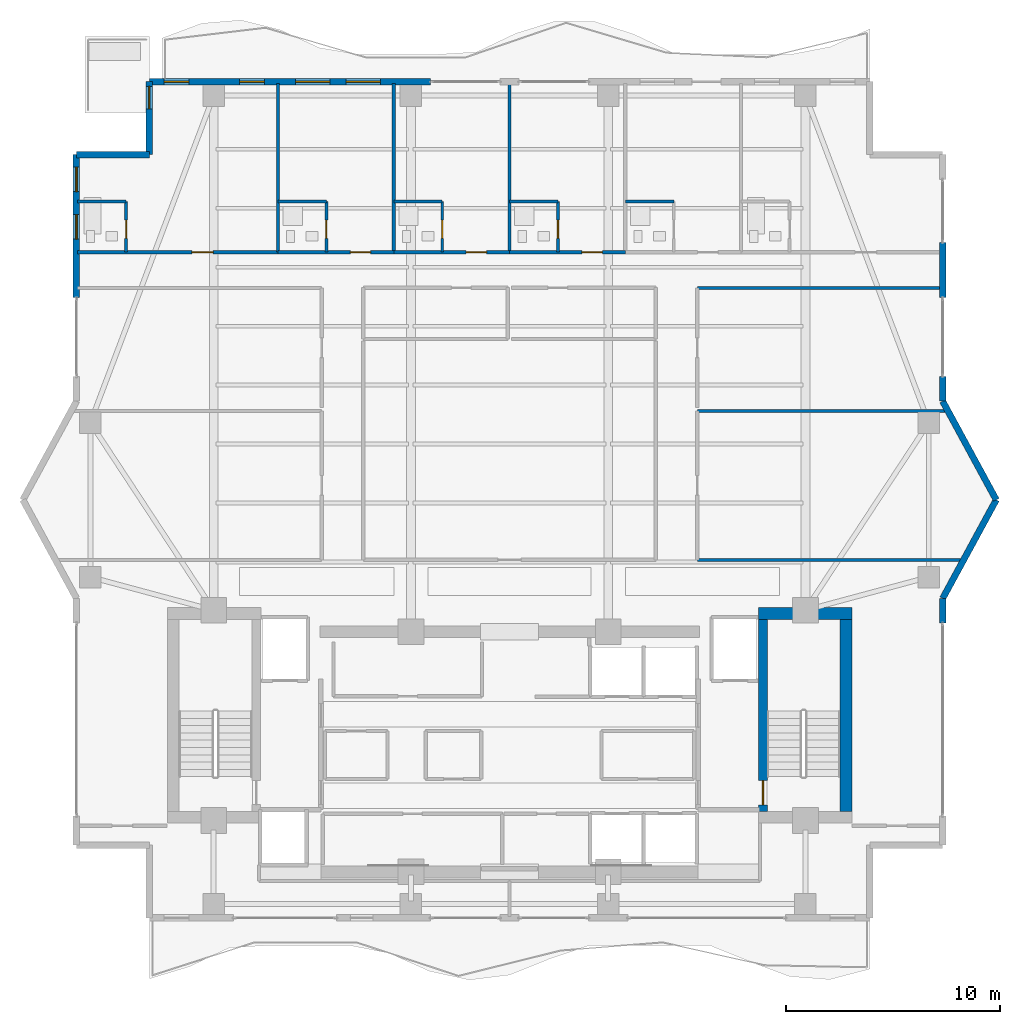
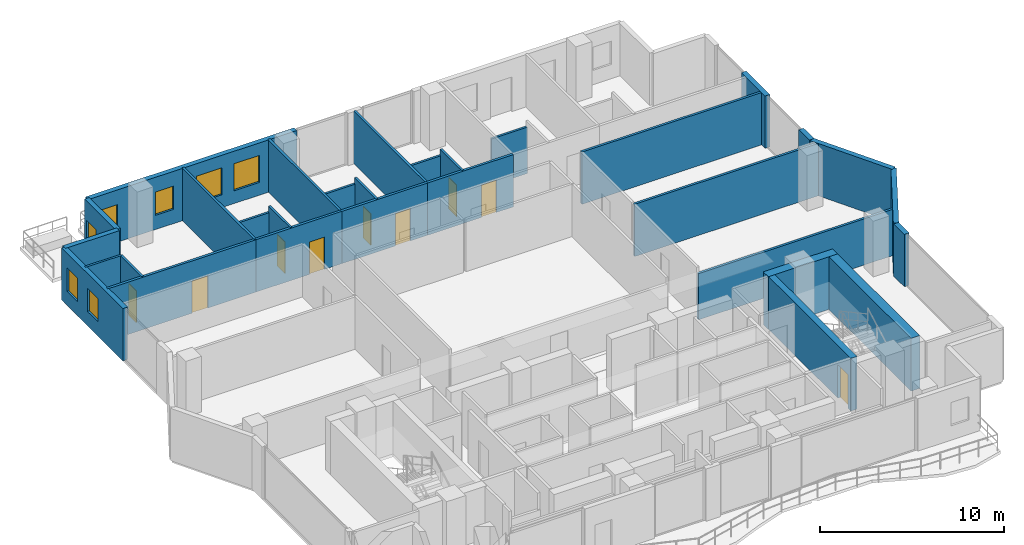
# One storey, part 19 of 23: 31 walls, 10 doors, 6 windows, 16 openings.
"""IFC4 building model written with IfcOpenShell, lengths in metres."""

from ifc_helpers import new_model, si_unit, direction, frame, frame_2d, origin, place, context, subcontext, project, spatial, rectangle, extrude, material, layer, layer_set, type_object, element, fill, save


model = new_model("IFC4")

# Units and contexts
model_context = context("Model", 3, precision=1e-05, world=origin(), true_north=direction((0.0, 1.0)))
body_context = subcontext(model_context, "Body", "Model", "MODEL_VIEW")
ifc_project = project(units=[si_unit("LENGTHUNIT", "METRE"), si_unit("AREAUNIT", "SQUARE_METRE"), si_unit("VOLUMEUNIT", "CUBIC_METRE"), si_unit("PLANEANGLEUNIT", "RADIAN"), si_unit("MASSUNIT", "GRAM", prefix="KILO")], contexts=[model_context])

# Site, building, storey
site_placement = place(None, origin())
site = spatial("IfcSite", under=ifc_project, at=site_placement, CompositionType="ELEMENT")
building_placement = place(site_placement, origin())
building = spatial("IfcBuilding", under=site, at=building_placement, Name="Zuhayl Quay Hotel", CompositionType="ELEMENT")
storey_placement = place(building_placement, frame((0.0, 0.0, 272.949951171875)))
storey = spatial("IfcBuildingStorey", under=building, at=storey_placement, Name="L69", CompositionType="ELEMENT", Elevation=272.949951171875)

# Walls
ifc_material_1 = material(Name="Concrete C50/60", Category="concrete")
ifc_layer_1 = layer(ifc_material_1, 0.550048828125, Name="Concrete C50/60", Category="concrete")
ifc_layer_set_1 = layer_set([ifc_layer_1], Name="Concrete C50/60")
wall_type_1 = type_object("IfcWallType", Name="WL_CORE_550", PredefinedType="SHEAR", material=ifc_layer_set_1)
wall_1_placement = place(storey_placement, frame((11.60009765625, 14.205078125, 0.0), z_axis=(0.0, 0.0, 1.0), x_axis=(1.0, 0.0, 0.0)))
element("IfcWall", 1, at=wall_1_placement, inside=storey, type_object=wall_type_1, Name="L69 Core Shear Wall CW_NE", PredefinedType="SHEAR", context=body_context, shape_type="SweptSolid", body=[
    extrude(rectangle(XDim=4.35986328125, YDim=0.550048828125, at=frame_2d((2.179931640625, 0.0))), origin(), (0.0, 0.0, 1.0), 3.510009765625),
])
wall_2_placement = place(storey_placement, frame((15.68505859375, 4.969970703125, 0.0), z_axis=(0.0, 0.0, 1.0), x_axis=(0.0, 1.0, 0.0)))
element("IfcWall", 2, at=wall_2_placement, inside=storey, type_object=wall_type_1, Name="L69 Core Shear Wall CW_E", PredefinedType="SHEAR", context=body_context, shape_type="SweptSolid", body=[
    extrude(rectangle(XDim=8.9599609375, YDim=0.550048828125, at=frame_2d((4.47998046875, 0.0))), origin(), (0.0, 0.0, 1.0), 3.510009765625),
])

# Wall, openings, windows
ifc_material_2 = material(Name="Precast concrete C45/55", Category="concrete")
ifc_layer_2 = layer(ifc_material_2, 0.300048828125, Name="Precast concrete C45/55", Category="concrete")
ifc_layer_set_2 = layer_set([ifc_layer_2], Name="Precast concrete C45/55")
wall_type_2 = type_object("IfcWallType", Name="WL_EXT_300", PredefinedType="STANDARD", material=ifc_layer_set_2)
wall_3_placement = place(storey_placement, frame((-20.199951171875, 28.929931640625, 0.0), z_axis=(0.0, 0.0, 1.0), x_axis=(0.0, 1.0, 0.0)))
wall_3 = element("IfcWall", 3, at=wall_3_placement, inside=storey, type_object=wall_type_2, Name="L69 Exterior Precast Wall ENV_L69_E05_EW2", PredefinedType="STANDARD", context=body_context, shape_type="SweptSolid", body=[
    extrude(rectangle(XDim=6.670166015625, YDim=0.300048828125, at=frame_2d((3.3349609375, 0.0))), origin(), (0.0, 0.0, 1.0), 3.47998046875),
])
opening_1_placement = place(wall_3_placement, frame((2.72509765625, 0.0, 0.949951171875)))
opening_1 = element("IfcOpeningElement", 4, at=opening_1_placement, cuts=wall_3, Name="Opening W01N", PredefinedType="OPENING", context=body_context, shape_type="SweptSolid", body=[
    extrude(rectangle(XDim=1.14990234375, YDim=1.550048828125, at=frame_2d((0.574951171875, 0.77490234375))), frame((0.0, 0.159912109375, 0.0), z_axis=(0.0, -1.0, 0.0), x_axis=(1.0, 0.0, 0.0)), (0.0, 0.0, 1.0), 0.320068359375),
])
opening_2_placement = place(wall_3_placement, frame((4.93994140625, 0.0, 0.949951171875)))
opening_2 = element("IfcOpeningElement", 5, at=opening_2_placement, cuts=wall_3, Name="Opening W01N", PredefinedType="OPENING", context=body_context, shape_type="SweptSolid", body=[
    extrude(rectangle(XDim=1.14990234375, YDim=1.550048828125, at=frame_2d((0.574951171875, 0.77490234375))), frame((0.0, 0.159912109375, 0.0), z_axis=(0.0, -1.0, 0.0), x_axis=(1.0, 0.0, 0.0)), (0.0, 0.0, 1.0), 0.320068359375),
])
ifc_material_3 = material(Name="Dark Ceramic-Fritted Solar Glass", Category="glass")
window_type_1 = type_object("IfcWindowType", Name="WN_NOTCH_1350", PartitioningType="SINGLE_PANEL", PredefinedType="WINDOW", material=ifc_material_3)
window_1_placement = place(opening_1_placement, origin())
window_1 = element("IfcWindow", 6, at=window_1_placement, inside=storey, type_object=window_type_1, Name="L69 Operable Facade Window 2-1", OverallHeight=1.550048828125, OverallWidth=1.14990234375, PartitioningType="SINGLE_PANEL", PredefinedType="WINDOW", context=body_context, shape_type="SweptSolid", body=[
    extrude(rectangle(XDim=1.14990234375, YDim=1.550048828125, at=frame_2d((0.574951171875, 0.77490234375))), frame((0.0, 0.030029296875, 0.0), z_axis=(0.0, -1.0, 0.0), x_axis=(1.0, 0.0, 0.0)), (0.0, 0.0, 1.0), 0.06005859375),
])
fill(opening_1, window_1)
window_2_placement = place(opening_2_placement, origin())
window_2 = element("IfcWindow", 7, at=window_2_placement, inside=storey, type_object=window_type_1, Name="L69 Operable Facade Window 2-2", OverallHeight=1.550048828125, OverallWidth=1.14990234375, PartitioningType="SINGLE_PANEL", PredefinedType="WINDOW", context=body_context, shape_type="SweptSolid", body=[
    extrude(rectangle(XDim=1.14990234375, YDim=1.550048828125, at=frame_2d((0.574951171875, 0.77490234375))), frame((0.0, 0.030029296875, 0.0), z_axis=(0.0, -1.0, 0.0), x_axis=(1.0, 0.0, 0.0)), (0.0, 0.0, 1.0), 0.06005859375),
])
fill(opening_2, window_2)

# Wall
wall_4_placement = place(storey_placement, frame((-20.199951171875, 35.60009765625, 0.0), z_axis=(0.0, 0.0, 1.0), x_axis=(1.0, 0.0, 0.0)))
element("IfcWall", 8, at=wall_4_placement, inside=storey, type_object=wall_type_2, Name="L69 Exterior Precast Wall ENV_L69_EW06", PredefinedType="STANDARD", context=body_context, shape_type="SweptSolid", body=[
    extrude(rectangle(XDim=3.39990234375, YDim=0.300048828125, at=frame_2d((1.699951171875, 0.0))), origin(), (0.0, 0.0, 1.0), 3.47998046875),
])

# Wall, opening, door
wall_5_placement = place(storey_placement, frame((-16.800048828125, 35.60009765625, 0.0), z_axis=(0.0, 0.0, 1.0), x_axis=(0.0, 1.0, 0.0)))
wall_5 = element("IfcWall", 9, at=wall_5_placement, inside=storey, type_object=wall_type_2, Name="L69 Exterior Precast Wall ENV_L69_SP_NW", PredefinedType="STANDARD", context=body_context, shape_type="SweptSolid", body=[
    extrude(rectangle(XDim=3.39990234375, YDim=0.300048828125, at=frame_2d((1.699951171875, 0.0))), origin(), (0.0, 0.0, 1.0), 3.47998046875),
])
opening_3_placement = place(wall_5_placement, frame((2.1298828125, 0.0, 0.0)))
opening_3 = element("IfcOpeningElement", 10, at=opening_3_placement, cuts=wall_5, Name="Opening DG1", PredefinedType="OPENING", context=body_context, shape_type="SweptSolid", body=[
    extrude(rectangle(XDim=1.050048828125, YDim=2.199951171875, at=frame_2d((0.52490234375, 1.10009765625))), frame((0.0, 0.159912109375, 0.0), z_axis=(0.0, -1.0, 0.0), x_axis=(1.0, 0.0, 0.0)), (0.0, 0.0, 1.0), 0.320068359375),
])
ifc_material_4 = material(Name="Anodised Aluminium and Dark Solar Glass", Category="aluminium")
door_type_1 = type_object("IfcDoorType", Name="DR_EXT_TERR_1050", OperationType="NOTDEFINED", PredefinedType="DOOR", material=ifc_material_4)
door_1_placement = place(opening_3_placement, origin())
door_1 = element("IfcDoor", 11, at=door_1_placement, inside=storey, type_object=door_type_1, Name="L69 Spiral Sky-Terrace NW Access Door", OperationType="SINGLE_SWING_LEFT", OverallHeight=2.199951171875, OverallWidth=1.050048828125, PredefinedType="DOOR", context=body_context, shape_type="SweptSolid", body=[
    extrude(rectangle(XDim=1.050048828125, YDim=2.199951171875, at=frame_2d((0.52490234375, 1.10009765625))), frame((0.0, 0.02490234375, 0.0), z_axis=(0.0, -1.0, 0.0), x_axis=(1.0, 0.0, 0.0)), (0.0, 0.0, 1.0), 0.050048828125),
])
fill(opening_3, door_1)

# Wall, openings, windows
wall_6_placement = place(storey_placement, frame((-16.800048828125, 39.0, 0.0), z_axis=(0.0, 0.0, 1.0), x_axis=(1.0, 0.0, 0.0)))
wall_6 = element("IfcWall", 12, at=wall_6_placement, inside=storey, type_object=wall_type_2, Name="L69 Exterior Precast Wall ENV_L69_N_EW1", PredefinedType="STANDARD", context=body_context, shape_type="SweptSolid", body=[
    extrude(rectangle(XDim=13.1201171875, YDim=0.300048828125, at=frame_2d((6.56005859375, 0.0))), origin(), (0.0, 0.0, 1.0), 3.47998046875),
])
opening_4_placement = place(wall_6_placement, frame((6.820068359375, 0.0, 0.85009765625)))
opening_4 = element("IfcOpeningElement", 13, at=opening_4_placement, cuts=wall_6, Name="Opening W01", PredefinedType="OPENING", context=body_context, shape_type="SweptSolid", body=[
    extrude(rectangle(XDim=1.60009765625, YDim=1.800048828125, at=frame_2d((0.800048828125, 0.89990234375))), frame((0.0, 0.159912109375, 0.0), z_axis=(0.0, -1.0, 0.0), x_axis=(1.0, 0.0, 0.0)), (0.0, 0.0, 1.0), 0.320068359375),
])
opening_5_placement = place(wall_6_placement, frame((0.695068359375, 0.0, 0.949951171875)))
opening_5 = element("IfcOpeningElement", 14, at=opening_5_placement, cuts=wall_6, Name="Opening W01N", PredefinedType="OPENING", context=body_context, shape_type="SweptSolid", body=[
    extrude(rectangle(XDim=1.14990234375, YDim=1.550048828125, at=frame_2d((0.574951171875, 0.77490234375))), frame((0.0, 0.159912109375, 0.0), z_axis=(0.0, -1.0, 0.0), x_axis=(1.0, 0.0, 0.0)), (0.0, 0.0, 1.0), 0.320068359375),
])
opening_6_placement = place(wall_6_placement, frame((4.215087890625, 0.0, 0.949951171875)))
opening_6 = element("IfcOpeningElement", 15, at=opening_6_placement, cuts=wall_6, Name="Opening W01N", PredefinedType="OPENING", context=body_context, shape_type="SweptSolid", body=[
    extrude(rectangle(XDim=1.14990234375, YDim=1.550048828125, at=frame_2d((0.574951171875, 0.77490234375))), frame((0.0, 0.159912109375, 0.0), z_axis=(0.0, -1.0, 0.0), x_axis=(1.0, 0.0, 0.0)), (0.0, 0.0, 1.0), 0.320068359375),
])
opening_7_placement = place(wall_6_placement, frame((9.175048828125, 0.0, 0.85009765625)))
opening_7 = element("IfcOpeningElement", 16, at=opening_7_placement, cuts=wall_6, Name="Opening W01", PredefinedType="OPENING", context=body_context, shape_type="SweptSolid", body=[
    extrude(rectangle(XDim=1.60009765625, YDim=1.800048828125, at=frame_2d((0.800048828125, 0.89990234375))), frame((0.0, 0.159912109375, 0.0), z_axis=(0.0, -1.0, 0.0), x_axis=(1.0, 0.0, 0.0)), (0.0, 0.0, 1.0), 0.320068359375),
])
window_3_placement = place(opening_5_placement, origin())
window_3 = element("IfcWindow", 17, at=window_3_placement, inside=storey, type_object=window_type_1, Name="L69 Operable Facade Window 1-1", OverallHeight=1.550048828125, OverallWidth=1.14990234375, PartitioningType="SINGLE_PANEL", PredefinedType="WINDOW", context=body_context, shape_type="SweptSolid", body=[
    extrude(rectangle(XDim=1.14990234375, YDim=1.550048828125, at=frame_2d((0.574951171875, 0.77490234375))), frame((0.0, 0.030029296875, 0.0), z_axis=(0.0, -1.0, 0.0), x_axis=(1.0, 0.0, 0.0)), (0.0, 0.0, 1.0), 0.06005859375),
])
fill(opening_5, window_3)
window_4_placement = place(opening_6_placement, origin())
window_4 = element("IfcWindow", 18, at=window_4_placement, inside=storey, type_object=window_type_1, Name="L69 Operable Facade Window 1-2", OverallHeight=1.550048828125, OverallWidth=1.14990234375, PartitioningType="SINGLE_PANEL", PredefinedType="WINDOW", context=body_context, shape_type="SweptSolid", body=[
    extrude(rectangle(XDim=1.14990234375, YDim=1.550048828125, at=frame_2d((0.574951171875, 0.77490234375))), frame((0.0, 0.030029296875, 0.0), z_axis=(0.0, -1.0, 0.0), x_axis=(1.0, 0.0, 0.0)), (0.0, 0.0, 1.0), 0.06005859375),
])
fill(opening_6, window_4)
window_type_2 = type_object("IfcWindowType", Name="WN_OPERABLE_1600", PartitioningType="DOUBLE_PANEL_VERTICAL", PredefinedType="WINDOW", material=ifc_material_3)
window_5_placement = place(opening_4_placement, origin())
window_5 = element("IfcWindow", 19, at=window_5_placement, inside=storey, type_object=window_type_2, Name="L69 North Operable Casement Window", OverallHeight=1.800048828125, OverallWidth=1.60009765625, PartitioningType="SINGLE_PANEL", PredefinedType="WINDOW", context=body_context, shape_type="SweptSolid", body=[
    extrude(rectangle(XDim=1.60009765625, YDim=1.800048828125, at=frame_2d((0.800048828125, 0.89990234375))), frame((0.0, 0.030029296875, 0.0), z_axis=(0.0, -1.0, 0.0), x_axis=(1.0, 0.0, 0.0)), (0.0, 0.0, 1.0), 0.06005859375),
])
fill(opening_4, window_5)
window_6_placement = place(opening_7_placement, origin())
window_6 = element("IfcWindow", 20, at=window_6_placement, inside=storey, type_object=window_type_2, Name="L69 Operable Facade Window 1-3", OverallHeight=1.800048828125, OverallWidth=1.60009765625, PartitioningType="SINGLE_PANEL", PredefinedType="WINDOW", context=body_context, shape_type="SweptSolid", body=[
    extrude(rectangle(XDim=1.60009765625, YDim=1.800048828125, at=frame_2d((0.800048828125, 0.89990234375))), frame((0.0, 0.030029296875, 0.0), z_axis=(0.0, -1.0, 0.0), x_axis=(1.0, 0.0, 0.0)), (0.0, 0.0, 1.0), 0.06005859375),
])
fill(opening_7, window_6)

# Walls
wall_7_placement = place(storey_placement, frame((20.199951171875, 31.5, 0.0), z_axis=(0.0, 0.0, 1.0), x_axis=(0.0, -1.0, 0.0)))
element("IfcWall", 21, at=wall_7_placement, inside=storey, type_object=wall_type_2, Name="L69 Exterior Precast Wall ENV_L69_E11_EW2", PredefinedType="STANDARD", context=body_context, shape_type="SweptSolid", body=[
    extrude(rectangle(XDim=2.570068359375, YDim=0.300048828125, at=frame_2d((1.28515625, 0.0))), origin(), (0.0, 0.0, 1.0), 3.47998046875),
])
wall_8_placement = place(storey_placement, frame((20.199951171875, 25.25, 0.0), z_axis=(0.0, 0.0, 1.0), x_axis=(0.0, -1.0, 0.0)))
element("IfcWall", 22, at=wall_8_placement, inside=storey, type_object=wall_type_2, Name="L69 Exterior Precast Wall ENV_L69_E11_EW3", PredefinedType="STANDARD", context=body_context, shape_type="SweptSolid", body=[
    extrude(rectangle(XDim=1.14990234375, YDim=0.300048828125, at=frame_2d((0.574951171875, 0.0))), origin(), (0.0, 0.0, 1.0), 3.47998046875),
])
for number, where, z_axis, x_axis, name in (
    (23, (20.199951171875, 24.10009765625, 0.0), (0.0, 0.0, 1.0), (0.477505494629, -0.878628762675, 0.0), "L69 Exterior Precast Wall ENV_L69_EW12"),
    (24, (22.699951171875, 19.5, 0.0), (0.0, 0.0, 1.0), (-0.477505494629, -0.878628762675, 0.0), "L69 Exterior Precast Wall ENV_L69_EW13"),
):
    element("IfcWall", number, at=place(storey_placement, frame(where, z_axis=z_axis, x_axis=x_axis)), inside=storey, type_object=wall_type_2, Name=name, PredefinedType="STANDARD", context=body_context, shape_type="SweptSolid", body=[
        extrude(rectangle(XDim=5.235595703125, YDim=0.300048828125, at=frame_2d((2.61767578125, 0.0))), origin(), (0.0, 0.0, 1.0), 3.47998046875),
    ])
wall_9_placement = place(storey_placement, frame((20.199951171875, 14.89990234375, 0.0), z_axis=(0.0, 0.0, 1.0), x_axis=(0.0, -1.0, 0.0)))
element("IfcWall", 25, at=wall_9_placement, inside=storey, type_object=wall_type_2, Name="L69 Exterior Precast Wall ENV_L69_E14_EW1", PredefinedType="STANDARD", context=body_context, shape_type="SweptSolid", body=[
    extrude(rectangle(XDim=1.14990234375, YDim=0.300048828125, at=frame_2d((0.574951171875, 0.0))), origin(), (0.0, 0.0, 1.0), 3.47998046875),
])
ifc_material_5 = material(Name="Acoustic Gypsum Partition STC-58")
ifc_layer_3 = layer(ifc_material_5, 0.14990234375, Name="Acoustic Gypsum Partition STC-58")
ifc_layer_set_3 = layer_set([ifc_layer_3], Name="Acoustic Gypsum Partition STC-58")
wall_type_3 = type_object("IfcWallType", Name="WL_PART_150", PredefinedType="PARTITIONING", material=ifc_layer_set_3)
for number, where, z_axis, x_axis, name in (
    (26, (-10.800048828125, 31.050048828125, 0.0), (0.0, 0.0, 1.0), (0.0, 1.0, 0.0), "L69 Partition IW_L69_NU01_E"),
    (27, (-5.39990234375, 31.050048828125, 0.0), (0.0, 0.0, 1.0), (0.0, 1.0, 0.0), "L69 Partition IW_L69_NU02_E"),
    (28, (0.0, 31.050048828125, 0.0), (0.0, 0.0, 1.0), (0.0, 1.0, 0.0), "L69 Partition IW_L69_NU03_E"),
):
    element("IfcWall", number, at=place(storey_placement, frame(where, z_axis=z_axis, x_axis=x_axis)), inside=storey, type_object=wall_type_3, Name=name, PredefinedType="PARTITIONING", context=body_context, shape_type="SweptSolid", body=[
        extrude(rectangle(XDim=7.869873046875, YDim=0.14990234375, at=frame_2d((3.93505859375, 0.0))), origin(), (0.0, 0.0, 1.0), 3.47998046875),
    ])
wall_10_placement = place(storey_placement, frame((8.760009765625, 16.699951171875, 0.0), z_axis=(0.0, 0.0, 1.0), x_axis=(1.0, 0.0, 0.0)))
element("IfcWall", 29, at=wall_10_placement, inside=storey, type_object=wall_type_3, Name="L69 Partition IW_L69_Z4_V4E1_S", PredefinedType="PARTITIONING", context=body_context, shape_type="SweptSolid", body=[
    extrude(rectangle(XDim=12.3583984375, YDim=0.14990234375, at=frame_2d((6.17919921875, 0.0))), origin(), (0.0, 0.0, 1.0), 3.075927734375),
])
wall_11_placement = place(storey_placement, frame((8.760009765625, 23.64990234375, 0.0), z_axis=(0.0, 0.0, 1.0), x_axis=(1.0, 0.0, 0.0)))
element("IfcWall", 30, at=wall_11_placement, inside=storey, type_object=wall_type_3, Name="L69 Partition IW_L69_Z4_V4E1_N", PredefinedType="PARTITIONING", context=body_context, shape_type="SweptSolid", body=[
    extrude(rectangle(XDim=11.62451171875, YDim=0.14990234375, at=frame_2d((5.812255859375, 0.0))), origin(), (0.0, 0.0, 1.0), 3.47998046875),
])
wall_12_placement = place(storey_placement, frame((8.760009765625, 29.3798828125, 0.0), z_axis=(0.0, 0.0, 1.0), x_axis=(1.0, 0.0, 0.0)))
element("IfcWall", 31, at=wall_12_placement, inside=storey, type_object=wall_type_3, Name="L69 Partition IW_L69_Z4_V4E2_N", PredefinedType="PARTITIONING", context=body_context, shape_type="SweptSolid", body=[
    extrude(rectangle(XDim=11.3798828125, YDim=0.14990234375, at=frame_2d((5.68994140625, 0.0))), origin(), (0.0, 0.0, 1.0), 3.47998046875),
])

# Wall, opening, door
ifc_layer_4 = layer(ifc_material_5, 0.159912109375, Name="Acoustic Gypsum Partition STC-58")
ifc_layer_set_4 = layer_set([ifc_layer_4], Name="Acoustic Gypsum Partition STC-58")
wall_type_4 = type_object("IfcWallType", Name="WL_PART_CORR_160", PredefinedType="PARTITIONING", material=ifc_layer_set_4)
wall_13_placement = place(storey_placement, frame((-20.139892578125, 31.050048828125, 0.0), z_axis=(0.0, 0.0, 1.0), x_axis=(1.0, 0.0, 0.0)))
wall_13 = element("IfcWall", 32, at=wall_13_placement, inside=storey, type_object=wall_type_4, Name="L69 Partition IW_L69_NU01_COR", PredefinedType="PARTITIONING", context=body_context, shape_type="SweptSolid", body=[
    extrude(rectangle(XDim=9.33984375, YDim=0.159912109375, at=frame_2d((4.669921875, 0.0))), origin(), (0.0, 0.0, 1.0), 3.47998046875),
])
opening_8_placement = place(wall_13_placement, frame((5.320068359375, 0.0, 0.0)))
opening_8 = element("IfcOpeningElement", 33, at=opening_8_placement, cuts=wall_13, Name="Opening D03L", PredefinedType="OPENING", context=body_context, shape_type="SweptSolid", body=[
    extrude(rectangle(XDim=1.0, YDim=2.14990234375, at=frame_2d((0.5, 1.074951171875))), frame((0.0, 0.08984375, 0.0), z_axis=(0.0, -1.0, 0.0), x_axis=(1.0, 0.0, 0.0)), (0.0, 0.0, 1.0), 0.179931640625),
])
ifc_material_6 = material(Name="Solid Walnut Acoustic Fire Door")
door_type_2 = type_object("IfcDoorType", Name="DR_SUITE_1000", OperationType="NOTDEFINED", PredefinedType="DOOR", material=ifc_material_6)
door_2_placement = place(opening_8_placement, origin())
door_2 = element("IfcDoor", 34, at=door_2_placement, inside=storey, type_object=door_type_2, Name="L69 Imperial Gulf Guest Room L69-01 Entrance Door", OperationType="SINGLE_SWING_LEFT", OverallHeight=2.14990234375, OverallWidth=1.0, PredefinedType="DOOR", context=body_context, shape_type="SweptSolid", body=[
    extrude(rectangle(XDim=1.0, YDim=2.14990234375, at=frame_2d((0.5, 1.074951171875))), frame((0.0, 0.02490234375, 0.0), z_axis=(0.0, -1.0, 0.0), x_axis=(1.0, 0.0, 0.0)), (0.0, 0.0, 1.0), 0.050048828125),
])
fill(opening_8, door_2)

wall_14_placement = place(storey_placement, frame((-10.800048828125, 31.050048828125, 0.0), z_axis=(0.0, 0.0, 1.0), x_axis=(1.0, 0.0, 0.0)))
wall_14 = element("IfcWall", 35, at=wall_14_placement, inside=storey, type_object=wall_type_4, Name="L69 Partition IW_L69_NU02_COR", PredefinedType="PARTITIONING", context=body_context, shape_type="SweptSolid", body=[
    extrude(rectangle(XDim=5.400146484375, YDim=0.159912109375, at=frame_2d((2.7001953125, 0.0))), origin(), (0.0, 0.0, 1.0), 3.47998046875),
])
opening_9_placement = place(wall_14_placement, frame((3.375, 0.0, 0.0)))
opening_9 = element("IfcOpeningElement", 36, at=opening_9_placement, cuts=wall_14, Name="Opening D03", PredefinedType="OPENING", context=body_context, shape_type="SweptSolid", body=[
    extrude(rectangle(XDim=0.949951171875, YDim=2.14990234375, at=frame_2d((0.47509765625, 1.074951171875))), frame((0.0, 0.08984375, 0.0), z_axis=(0.0, -1.0, 0.0), x_axis=(1.0, 0.0, 0.0)), (0.0, 0.0, 1.0), 0.179931640625),
])
door_type_3 = type_object("IfcDoorType", Name="DR_SUITE_950", OperationType="NOTDEFINED", PredefinedType="DOOR", material=ifc_material_6)
door_3_placement = place(opening_9_placement, origin())
door_3 = element("IfcDoor", 37, at=door_3_placement, inside=storey, type_object=door_type_3, Name="L69 Imperial Gulf Guest Room L69-02 Entrance Door", OperationType="SINGLE_SWING_LEFT", OverallHeight=2.14990234375, OverallWidth=0.949951171875, PredefinedType="DOOR", context=body_context, shape_type="SweptSolid", body=[
    extrude(rectangle(XDim=0.949951171875, YDim=2.14990234375, at=frame_2d((0.47509765625, 1.074951171875))), frame((0.0, 0.02490234375, 0.0), z_axis=(0.0, -1.0, 0.0), x_axis=(1.0, 0.0, 0.0)), (0.0, 0.0, 1.0), 0.050048828125),
])
fill(opening_9, door_3)

wall_15_placement = place(storey_placement, frame((-5.39990234375, 31.050048828125, 0.0), z_axis=(0.0, 0.0, 1.0), x_axis=(1.0, 0.0, 0.0)))
wall_15 = element("IfcWall", 38, at=wall_15_placement, inside=storey, type_object=wall_type_4, Name="L69 Partition IW_L69_NU03_COR", PredefinedType="PARTITIONING", context=body_context, shape_type="SweptSolid", body=[
    extrude(rectangle(XDim=5.39990234375, YDim=0.159912109375, at=frame_2d((2.699951171875, 0.0))), origin(), (0.0, 0.0, 1.0), 3.47998046875),
])
opening_10_placement = place(wall_15_placement, frame((3.375, 0.0, 0.0)))
opening_10 = element("IfcOpeningElement", 39, at=opening_10_placement, cuts=wall_15, Name="Opening D03", PredefinedType="OPENING", context=body_context, shape_type="SweptSolid", body=[
    extrude(rectangle(XDim=0.949951171875, YDim=2.14990234375, at=frame_2d((0.47509765625, 1.074951171875))), frame((0.0, 0.08984375, 0.0), z_axis=(0.0, -1.0, 0.0), x_axis=(1.0, 0.0, 0.0)), (0.0, 0.0, 1.0), 0.179931640625),
])
door_4_placement = place(opening_10_placement, origin())
door_4 = element("IfcDoor", 40, at=door_4_placement, inside=storey, type_object=door_type_3, Name="L69 Imperial Gulf Guest Room L69-03 Entrance Door", OperationType="SINGLE_SWING_LEFT", OverallHeight=2.14990234375, OverallWidth=0.949951171875, PredefinedType="DOOR", context=body_context, shape_type="SweptSolid", body=[
    extrude(rectangle(XDim=0.949951171875, YDim=2.14990234375, at=frame_2d((0.47509765625, 1.074951171875))), frame((0.0, 0.02490234375, 0.0), z_axis=(0.0, -1.0, 0.0), x_axis=(1.0, 0.0, 0.0)), (0.0, 0.0, 1.0), 0.050048828125),
])
fill(opening_10, door_4)

wall_16_placement = place(storey_placement, frame((0.0, 31.050048828125, 0.0), z_axis=(0.0, 0.0, 1.0), x_axis=(1.0, 0.0, 0.0)))
wall_16 = element("IfcWall", 41, at=wall_16_placement, inside=storey, type_object=wall_type_4, Name="L69 Partition IW_L69_NU04_COR", PredefinedType="PARTITIONING", context=body_context, shape_type="SweptSolid", body=[
    extrude(rectangle(XDim=5.39990234375, YDim=0.159912109375, at=frame_2d((2.699951171875, 0.0))), origin(), (0.0, 0.0, 1.0), 3.47998046875),
])
opening_11_placement = place(wall_16_placement, frame((3.375, 0.0, 0.0)))
opening_11 = element("IfcOpeningElement", 42, at=opening_11_placement, cuts=wall_16, Name="Opening D03", PredefinedType="OPENING", context=body_context, shape_type="SweptSolid", body=[
    extrude(rectangle(XDim=0.949951171875, YDim=2.14990234375, at=frame_2d((0.47509765625, 1.074951171875))), frame((0.0, 0.08984375, 0.0), z_axis=(0.0, -1.0, 0.0), x_axis=(1.0, 0.0, 0.0)), (0.0, 0.0, 1.0), 0.179931640625),
])
door_5_placement = place(opening_11_placement, origin())
door_5 = element("IfcDoor", 43, at=door_5_placement, inside=storey, type_object=door_type_3, Name="L69 Imperial Gulf Guest Room L69-04 Entrance Door", OperationType="SINGLE_SWING_LEFT", OverallHeight=2.14990234375, OverallWidth=0.949951171875, PredefinedType="DOOR", context=body_context, shape_type="SweptSolid", body=[
    extrude(rectangle(XDim=0.949951171875, YDim=2.14990234375, at=frame_2d((0.47509765625, 1.074951171875))), frame((0.0, 0.02490234375, 0.0), z_axis=(0.0, -1.0, 0.0), x_axis=(1.0, 0.0, 0.0)), (0.0, 0.0, 1.0), 0.050048828125),
])
fill(opening_11, door_5)

ifc_material_7 = material(Name="Moisture-Resistant Sanitarychase Gypsum")
ifc_layer_5 = layer(ifc_material_7, 0.135009765625, Name="Moisture-Resistant Sanitarychase Gypsum")
ifc_layer_set_5 = layer_set([ifc_layer_5], Name="Moisture-Resistant Sanitarychase Gypsum")
wall_type_5 = type_object("IfcWallType", Name="WL_PART_PLUMB_150", PredefinedType="PLUMBINGWALL", material=ifc_layer_set_5)
wall_17_placement = place(storey_placement, frame((-17.8798828125, 31.050048828125, 0.0), z_axis=(0.0, 0.0, 1.0), x_axis=(0.0, 1.0, 0.0)))
wall_17 = element("IfcWall", 44, at=wall_17_placement, inside=storey, type_object=wall_type_5, Name="L69 Partition IW_L69_NU01_BE", PredefinedType="PLUMBINGWALL", context=body_context, shape_type="SweptSolid", body=[
    extrude(rectangle(XDim=2.35986328125, YDim=0.135009765625, at=frame_2d((1.179931640625, 0.0))), origin(), (0.0, 0.0, 1.0), 3.47998046875),
])
opening_12_placement = place(wall_17_placement, frame((0.64990234375, 0.0, 0.0)))
opening_12 = element("IfcOpeningElement", 45, at=opening_12_placement, cuts=wall_17, Name="Opening D04", PredefinedType="OPENING", context=body_context, shape_type="SweptSolid", body=[
    extrude(rectangle(XDim=0.85009765625, YDim=2.10009765625, at=frame_2d((0.425048828125, 1.050048828125))), frame((0.0, 0.077392578125, 0.0), z_axis=(0.0, -1.0, 0.0), x_axis=(1.0, 0.0, 0.0)), (0.0, 0.0, 1.0), 0.155029296875),
])
ifc_material_8 = material(Name="Moisture-Resistant Walnut Veneer")
door_type_4 = type_object("IfcDoorType", Name="DR_BATH_850", OperationType="NOTDEFINED", PredefinedType="DOOR", material=ifc_material_8)
door_6_placement = place(opening_12_placement, origin())
door_6 = element("IfcDoor", 46, at=door_6_placement, inside=storey, type_object=door_type_4, Name="L69 Imperial Gulf Guest Room L69-01 En-Suite Door", OperationType="SINGLE_SWING_RIGHT", OverallHeight=2.10009765625, OverallWidth=0.85009765625, PredefinedType="DOOR", context=body_context, shape_type="SweptSolid", body=[
    extrude(rectangle(XDim=0.85009765625, YDim=2.10009765625, at=frame_2d((0.425048828125, 1.050048828125))), frame((0.0, 0.02490234375, 0.0), z_axis=(0.0, -1.0, 0.0), x_axis=(1.0, 0.0, 0.0)), (0.0, 0.0, 1.0), 0.050048828125),
])
fill(opening_12, door_6)

wall_18_placement = place(storey_placement, frame((-8.5400390625, 31.050048828125, 0.0), z_axis=(0.0, 0.0, 1.0), x_axis=(0.0, 1.0, 0.0)))
wall_18 = element("IfcWall", 47, at=wall_18_placement, inside=storey, type_object=wall_type_5, Name="L69 Partition IW_L69_NU02_BE", PredefinedType="PLUMBINGWALL", context=body_context, shape_type="SweptSolid", body=[
    extrude(rectangle(XDim=2.35986328125, YDim=0.135009765625, at=frame_2d((1.179931640625, 0.0))), origin(), (0.0, 0.0, 1.0), 3.47998046875),
])
opening_13_placement = place(wall_18_placement, frame((0.64990234375, 0.0, 0.0)))
opening_13 = element("IfcOpeningElement", 48, at=opening_13_placement, cuts=wall_18, Name="Opening D04", PredefinedType="OPENING", context=body_context, shape_type="SweptSolid", body=[
    extrude(rectangle(XDim=0.85009765625, YDim=2.10009765625, at=frame_2d((0.425048828125, 1.050048828125))), frame((0.0, 0.077392578125, 0.0), z_axis=(0.0, -1.0, 0.0), x_axis=(1.0, 0.0, 0.0)), (0.0, 0.0, 1.0), 0.155029296875),
])
door_7_placement = place(opening_13_placement, origin())
door_7 = element("IfcDoor", 49, at=door_7_placement, inside=storey, type_object=door_type_4, Name="L69 Imperial Gulf Guest Room L69-02 En-Suite Door", OperationType="SINGLE_SWING_RIGHT", OverallHeight=2.10009765625, OverallWidth=0.85009765625, PredefinedType="DOOR", context=body_context, shape_type="SweptSolid", body=[
    extrude(rectangle(XDim=0.85009765625, YDim=2.10009765625, at=frame_2d((0.425048828125, 1.050048828125))), frame((0.0, 0.02490234375, 0.0), z_axis=(0.0, -1.0, 0.0), x_axis=(1.0, 0.0, 0.0)), (0.0, 0.0, 1.0), 0.050048828125),
])
fill(opening_13, door_7)

wall_19_placement = place(storey_placement, frame((-3.139892578125, 31.050048828125, 0.0), z_axis=(0.0, 0.0, 1.0), x_axis=(0.0, 1.0, 0.0)))
wall_19 = element("IfcWall", 50, at=wall_19_placement, inside=storey, type_object=wall_type_5, Name="L69 Partition IW_L69_NU03_BE", PredefinedType="PLUMBINGWALL", context=body_context, shape_type="SweptSolid", body=[
    extrude(rectangle(XDim=2.35986328125, YDim=0.135009765625, at=frame_2d((1.179931640625, 0.0))), origin(), (0.0, 0.0, 1.0), 3.47998046875),
])
opening_14_placement = place(wall_19_placement, frame((0.64990234375, 0.0, 0.0)))
opening_14 = element("IfcOpeningElement", 51, at=opening_14_placement, cuts=wall_19, Name="Opening D04", PredefinedType="OPENING", context=body_context, shape_type="SweptSolid", body=[
    extrude(rectangle(XDim=0.85009765625, YDim=2.10009765625, at=frame_2d((0.425048828125, 1.050048828125))), frame((0.0, 0.077392578125, 0.0), z_axis=(0.0, -1.0, 0.0), x_axis=(1.0, 0.0, 0.0)), (0.0, 0.0, 1.0), 0.155029296875),
])
door_8_placement = place(opening_14_placement, origin())
door_8 = element("IfcDoor", 52, at=door_8_placement, inside=storey, type_object=door_type_4, Name="L69 Imperial Gulf Guest Room L69-03 En-Suite Door", OperationType="SINGLE_SWING_RIGHT", OverallHeight=2.10009765625, OverallWidth=0.85009765625, PredefinedType="DOOR", context=body_context, shape_type="SweptSolid", body=[
    extrude(rectangle(XDim=0.85009765625, YDim=2.10009765625, at=frame_2d((0.425048828125, 1.050048828125))), frame((0.0, 0.02490234375, 0.0), z_axis=(0.0, -1.0, 0.0), x_axis=(1.0, 0.0, 0.0)), (0.0, 0.0, 1.0), 0.050048828125),
])
fill(opening_14, door_8)

wall_20_placement = place(storey_placement, frame((2.260009765625, 31.050048828125, 0.0), z_axis=(0.0, 0.0, 1.0), x_axis=(0.0, 1.0, 0.0)))
wall_20 = element("IfcWall", 53, at=wall_20_placement, inside=storey, type_object=wall_type_5, Name="L69 Partition IW_L69_NU04_BE", PredefinedType="PLUMBINGWALL", context=body_context, shape_type="SweptSolid", body=[
    extrude(rectangle(XDim=2.35986328125, YDim=0.135009765625, at=frame_2d((1.179931640625, 0.0))), origin(), (0.0, 0.0, 1.0), 3.47998046875),
])
opening_15_placement = place(wall_20_placement, frame((0.64990234375, 0.0, 0.0)))
opening_15 = element("IfcOpeningElement", 54, at=opening_15_placement, cuts=wall_20, Name="Opening D04", PredefinedType="OPENING", context=body_context, shape_type="SweptSolid", body=[
    extrude(rectangle(XDim=0.85009765625, YDim=2.10009765625, at=frame_2d((0.425048828125, 1.050048828125))), frame((0.0, 0.077392578125, 0.0), z_axis=(0.0, -1.0, 0.0), x_axis=(1.0, 0.0, 0.0)), (0.0, 0.0, 1.0), 0.155029296875),
])
door_9_placement = place(opening_15_placement, origin())
door_9 = element("IfcDoor", 55, at=door_9_placement, inside=storey, type_object=door_type_4, Name="L69 Imperial Gulf Guest Room L69-04 En-Suite Door", OperationType="SINGLE_SWING_RIGHT", OverallHeight=2.10009765625, OverallWidth=0.85009765625, PredefinedType="DOOR", context=body_context, shape_type="SweptSolid", body=[
    extrude(rectangle(XDim=0.85009765625, YDim=2.10009765625, at=frame_2d((0.425048828125, 1.050048828125))), frame((0.0, 0.02490234375, 0.0), z_axis=(0.0, -1.0, 0.0), x_axis=(1.0, 0.0, 0.0)), (0.0, 0.0, 1.0), 0.050048828125),
])
fill(opening_15, door_9)

# Walls
wall_21_placement = place(storey_placement, frame((-20.139892578125, 33.409912109375, 0.0), z_axis=(0.0, 0.0, 1.0), x_axis=(1.0, 0.0, 0.0)))
element("IfcWall", 56, at=wall_21_placement, inside=storey, type_object=wall_type_5, Name="L69 Partition IW_L69_NU01_BN", PredefinedType="PLUMBINGWALL", context=body_context, shape_type="SweptSolid", body=[
    extrude(rectangle(XDim=2.260009765625, YDim=0.135009765625, at=frame_2d((1.1298828125, 0.0))), origin(), (0.0, 0.0, 1.0), 3.47998046875),
])
for number, where, z_axis, x_axis, name in (
    (57, (-10.800048828125, 33.409912109375, 0.0), (0.0, 0.0, 1.0), (1.0, 0.0, 0.0), "L69 Partition IW_L69_NU02_BN"),
    (58, (-5.39990234375, 33.409912109375, 0.0), (0.0, 0.0, 1.0), (1.0, 0.0, 0.0), "L69 Partition IW_L69_NU03_BN"),
    (59, (0.0, 33.409912109375, 0.0), (0.0, 0.0, 1.0), (1.0, 0.0, 0.0), "L69 Partition IW_L69_NU04_BN"),
    (60, (5.39990234375, 33.409912109375, 0.0), (0.0, 0.0, 1.0), (1.0, 0.0, 0.0), "L69 Partition IW_L69_NU05_BN"),
):
    element("IfcWall", number, at=place(storey_placement, frame(where, z_axis=z_axis, x_axis=x_axis)), inside=storey, type_object=wall_type_5, Name=name, PredefinedType="PLUMBINGWALL", context=body_context, shape_type="SweptSolid", body=[
        extrude(rectangle(XDim=2.260009765625, YDim=0.135009765625, at=frame_2d((1.1298828125, 0.0))), origin(), (0.0, 0.0, 1.0), 3.075927734375),
    ])

# Wall, opening, door
ifc_material_9 = material(Name="Concrete C60/75", Category="concrete")
ifc_layer_6 = layer(ifc_material_9, 0.39990234375, Name="Concrete C60/75", Category="concrete")
ifc_layer_set_6 = layer_set([ifc_layer_6], Name="Concrete C60/75")
wall_type_6 = type_object("IfcWallType", Name="WL_STAIR_400", PredefinedType="SHEAR", material=ifc_layer_set_6)
wall_22_placement = place(storey_placement, frame((11.820068359375, 13.929931640625, 0.0), z_axis=(0.0, 0.0, 1.0), x_axis=(0.0, -1.0, 0.0)))
wall_22 = element("IfcWall", 61, at=wall_22_placement, inside=storey, type_object=wall_type_6, Name="L69 Core Shear Wall SW_ST2", PredefinedType="SHEAR", context=body_context, shape_type="SweptSolid", body=[
    extrude(rectangle(XDim=8.9599609375, YDim=0.39990234375, at=frame_2d((4.47998046875, 0.0))), origin(), (0.0, 0.0, 1.0), 3.510009765625),
])
opening_16_placement = place(wall_22_placement, frame((7.530029296875, 0.0, 0.0)))
opening_16 = element("IfcOpeningElement", 62, at=opening_16_placement, cuts=wall_22, Name="Opening D01", PredefinedType="OPENING", context=body_context, shape_type="SweptSolid", body=[
    extrude(rectangle(XDim=1.1201171875, YDim=2.219970703125, at=frame_2d((0.56005859375, 1.10986328125))), frame((0.0, 0.2099609375, 0.0), z_axis=(0.0, -1.0, 0.0), x_axis=(1.0, 0.0, 0.0)), (0.0, 0.0, 1.0), 0.419921875),
])
ifc_material_10 = material(Name="Steel ASTM A992 Grade 50", Category="steel")
door_type_5 = type_object("IfcDoorType", Name="DR_STAIR_90_1100", OperationType="NOTDEFINED", PredefinedType="DOOR", material=ifc_material_10)
door_10_placement = place(opening_16_placement, origin())
door_10 = element("IfcDoor", 63, at=door_10_placement, inside=storey, type_object=door_type_5, Name="L69 Smokeproof Exit Stair ST2 Door", OperationType="SINGLE_SWING_RIGHT", OverallHeight=2.219970703125, OverallWidth=1.1201171875, PredefinedType="DOOR", context=body_context, shape_type="SweptSolid", body=[
    extrude(rectangle(XDim=1.1201171875, YDim=2.219970703125, at=frame_2d((0.56005859375, 1.10986328125))), frame((0.0, 0.02490234375, 0.0), z_axis=(0.0, -1.0, 0.0), x_axis=(1.0, 0.0, 0.0)), (0.0, 0.0, 1.0), 0.050048828125),
])
fill(opening_16, door_10)

save(model, "model.ifc")
